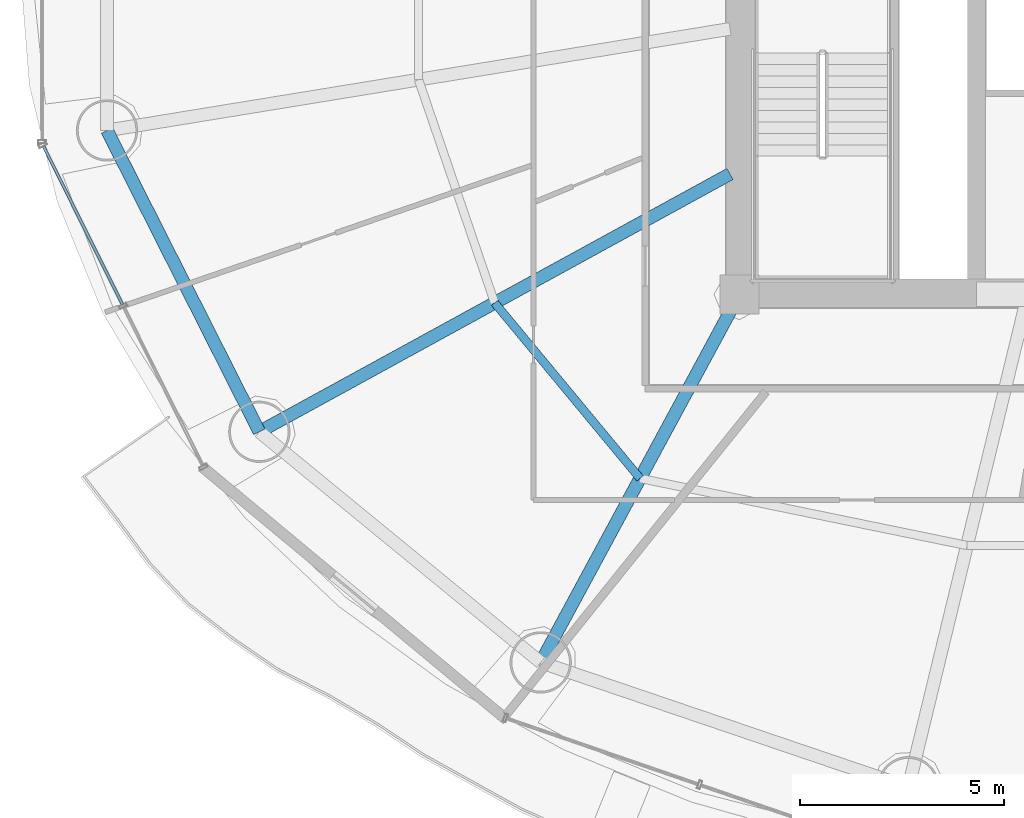
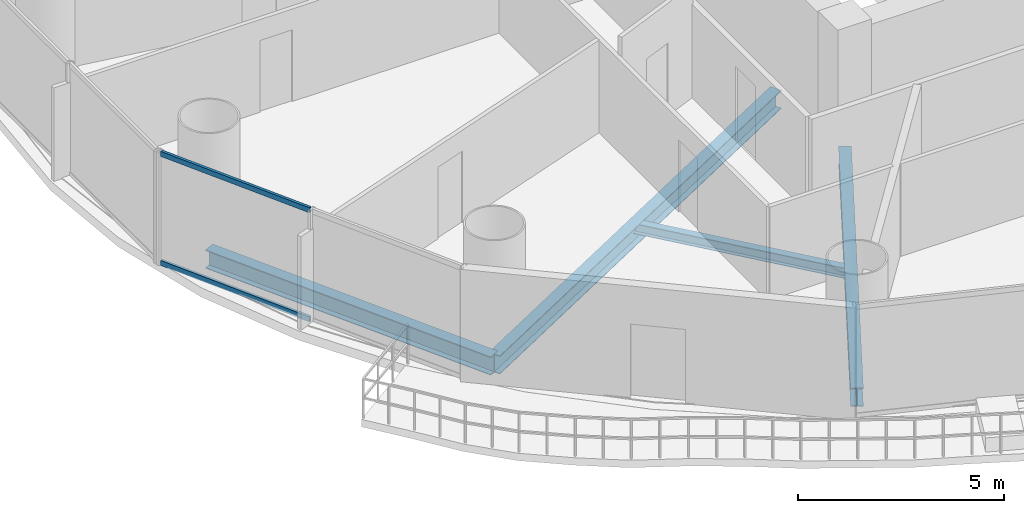
# One storey, part 3 of 29: 4 beams, 2 members, 1 element without a shape of its own.
"""IFC4 building model written with IfcOpenShell, lengths in metres."""

from ifc_helpers import new_model, si_unit, direction, frame, origin, origin_2d, place, context, subcontext, project, spatial, hollow_rectangle, i_section, extrude, source, transform, mapped, material, material_profile, profile_set, type_object, element, aggregate, save


model = new_model("IFC4")

# Units and contexts
model_context = context("Model", 3, precision=1e-05, world=origin(), true_north=direction((-0.2419218956, 0.970295726276)))
body_context = subcontext(model_context, "Body", "Model", "MODEL_VIEW")
ifc_project = project(units=[si_unit("LENGTHUNIT", "METRE"), si_unit("AREAUNIT", "SQUARE_METRE"), si_unit("VOLUMEUNIT", "CUBIC_METRE"), si_unit("PLANEANGLEUNIT", "RADIAN"), si_unit("MASSUNIT", "GRAM", prefix="KILO")], contexts=[model_context])

# Site, building, storey
site_placement = place(None, origin())
site = spatial("IfcSite", under=ifc_project, at=site_placement, CompositionType="ELEMENT")
building_placement = place(site_placement, origin())
building = spatial("IfcBuilding", under=site, at=building_placement, Name="Cobrevalo Terracotta Tower", CompositionType="ELEMENT")
storey_placement = place(building_placement, frame((0.0, 0.0, 119.39990234375)))
storey = spatial("IfcBuildingStorey", under=building, at=storey_placement, Name="L31", CompositionType="ELEMENT", Elevation=119.39990234375)

# Beams
ifc_material_1 = material(Name="Steel S355", Category="steel")
ifc_material_profile_1 = material_profile(ifc_material_1, i_section(OverallWidth=0.31201171875, OverallDepth=0.54296875, WebThickness=0.0126953125, FlangeThickness=0.020263671875, at=origin_2d()), Name="W 530x150")
ifc_profile_set_1 = profile_set([ifc_material_profile_1], Name="Steel S355")
beam_type_1 = type_object("IfcBeamType", Name="Structural Beam W 530x150 (Steel S355)", PredefinedType="BEAM", material=ifc_profile_set_1)
beam_1_placement = place(storey_placement, frame((17.2548828125, 15.4384765625, -0.54638671875), z_axis=(0.877072765004, 0.480357538599, 0.0), x_axis=(-0.480357538599, 0.877072765004, 0.0)))
element("IfcBeam", 1, at=beam_1_placement, inside=storey, type_object=beam_type_1, Name="L31 radial floor girder 10", PredefinedType="BEAM", context=body_context, shape_type="SweptSolid", body=[
    extrude(i_section(OverallWidth=0.31201171875, OverallDepth=0.54296875, WebThickness=0.0126953125, FlangeThickness=0.020263671875, at=origin_2d()), origin(), (0.0, 0.0, 1.0), 13.129150390625),
])
beam_2_placement = place(storey_placement, frame((24.138427734375, 9.79638671875, -0.54638671875), z_axis=(0.475118249298, 0.879921956303, 0.0), x_axis=(-0.879921956303, 0.475118249298, 0.0)))
element("IfcBeam", 2, at=beam_2_placement, inside=storey, type_object=beam_type_1, Name="L31 radial floor girder 11", PredefinedType="BEAM", context=body_context, shape_type="SweptSolid", body=[
    extrude(i_section(OverallWidth=0.31201171875, OverallDepth=0.54296875, WebThickness=0.0126953125, FlangeThickness=0.020263671875, at=origin_2d()), origin(), (0.0, 0.0, 1.0), 10.232421875),
])
ifc_material_profile_2 = material_profile(ifc_material_1, i_section(OverallWidth=0.2041015625, OverallDepth=0.305908203125, WebThickness=0.008544921875, FlangeThickness=0.0146484375, at=origin_2d()), Name="W 310x67")
ifc_profile_set_2 = profile_set([ifc_material_profile_2], Name="Steel S355")
beam_type_2 = type_object("IfcBeamType", Name="Structural Joist W 310x67 (Steel S355)", PredefinedType="JOIST", material=ifc_profile_set_2)
beam_3_placement = place(storey_placement, frame((23.012451171875, 18.591796875, -0.427978515625), z_axis=(0.6379592588, -0.77007011636, 0.0), x_axis=(0.77007011636, 0.6379592588, 0.0)))
element("IfcBeam", 3, at=beam_3_placement, inside=storey, type_object=beam_type_2, Name="L31 circumferential secondary floor joist 10", PredefinedType="JOIST", context=body_context, shape_type="SweptSolid", body=[
    extrude(i_section(OverallWidth=0.2041015625, OverallDepth=0.305908203125, WebThickness=0.008544921875, FlangeThickness=0.0146484375, at=origin_2d()), origin(), (0.0, 0.0, 1.0), 5.575439453125),
])
ifc_material_profile_3 = material_profile(ifc_material_1, i_section(OverallWidth=0.31201171875, OverallDepth=0.54296875, WebThickness=0.0126953125, FlangeThickness=0.020263671875, at=origin_2d()), Name="W 530x150")
ifc_profile_set_3 = profile_set([ifc_material_profile_3], Name="Steel S355")
beam_type_3 = type_object("IfcBeamType", Name="Structural Spandrel W 530x150 (Steel S355)", PredefinedType="SPANDREL", material=ifc_profile_set_3)
beam_4_placement = place(storey_placement, frame((13.529296875, 22.810302734375, -0.54638671875), z_axis=(0.451051982172, -0.892497680321, 0.0), x_axis=(0.892497680321, 0.451051982172, 0.0)))
element("IfcBeam", 4, at=beam_4_placement, inside=storey, type_object=beam_type_3, Name="L31 perimeter ring spandrel 09", PredefinedType="SPANDREL", context=body_context, shape_type="SweptSolid", body=[
    extrude(i_section(OverallWidth=0.31201171875, OverallDepth=0.54296875, WebThickness=0.0126953125, FlangeThickness=0.020263671875, at=origin_2d()), origin(), (0.0, 0.0, 1.0), 8.259765625),
])

# Curtain wall, members
ifc_material_2 = material(Name="Anodized aluminium", Category="aluminium")
curtain_wall_type = type_object("IfcCurtainWallType", Name="Lower-tower unitised acoustic low-E curtain wall CW-U1", PredefinedType="NOTDEFINED", material=ifc_material_2)
curtain_wall_placement = place(storey_placement, origin())
curtain_wall = element("IfcCurtainWall", 5, at=curtain_wall_placement, inside=storey, type_object=curtain_wall_type, Name="L31 curtain wall CW-L31-S09", PredefinedType="NOTDEFINED")
ifc_material_profile_4 = material_profile(ifc_material_2, hollow_rectangle(XDim=0.074951171875, YDim=0.14990234375, WallThickness=0.00439453125, at=origin_2d()), Name="CWT 75x150")
ifc_profile_set_4 = profile_set([ifc_material_profile_4], Name="Anodized aluminium")
member_type = type_object("IfcMemberType", Name="Tower unitised aluminium transom 75x150", PredefinedType="USERDEFINED", material=ifc_profile_set_4)
shared_shape = source(origin(), body_context, "Body", "SweptSolid", [
    extrude(hollow_rectangle(XDim=0.074951171875, YDim=0.14990234375, WallThickness=0.00439453125, at=origin_2d()), origin(), (0.0, 0.0, 1.0), 4.324951171875),
])
member_1_placement = place(storey_placement, frame((11.976318359375, 22.4228515625, 0.050048828125), z_axis=(0.446219838389, -0.894923379864, 0.0), x_axis=(0.894923379864, 0.446219838389, 0.0)))
member_1 = element("IfcMember", 6, at=member_1_placement, type_object=member_type, Name="CW-L31-S09 transom B01-T1", ObjectType="TRANSOM", PredefinedType="USERDEFINED", context=body_context, shape_type="MappedRepresentation", body=[
    mapped(shared_shape, transform((0.0, 0.0, 0.0), scale=1.0)),
])
member_2_placement = place(storey_placement, frame((11.976318359375, 22.4228515625, 3.275146484375), z_axis=(0.446219838389, -0.894923379864, 0.0), x_axis=(0.894923379864, 0.446219838389, 0.0)))
member_2 = element("IfcMember", 7, at=member_2_placement, type_object=member_type, Name="CW-L31-S09 transom B01-T2", ObjectType="TRANSOM", PredefinedType="USERDEFINED", context=body_context, shape_type="MappedRepresentation", body=[
    mapped(shared_shape, transform((0.0, 0.0, 0.0), scale=1.0)),
])
aggregate(curtain_wall, [member_1, member_2])

save(model, "model.ifc")
